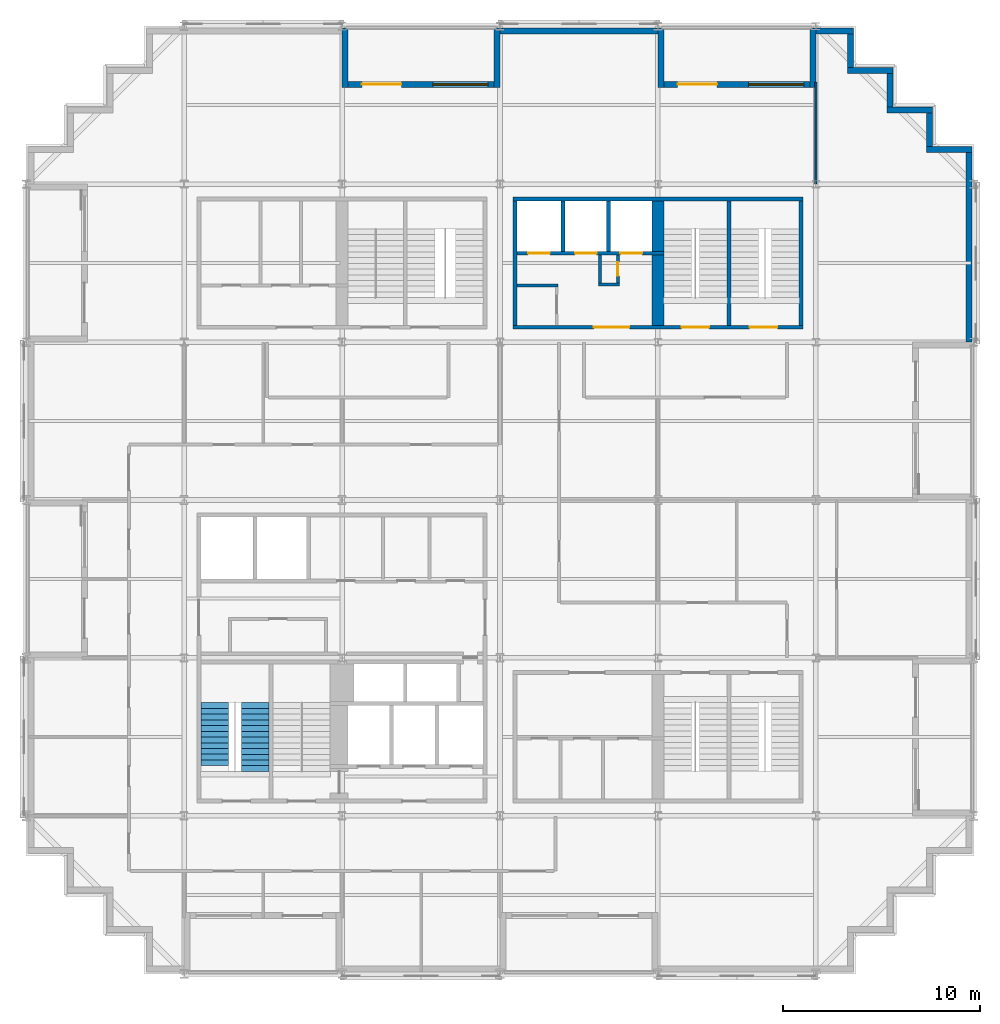
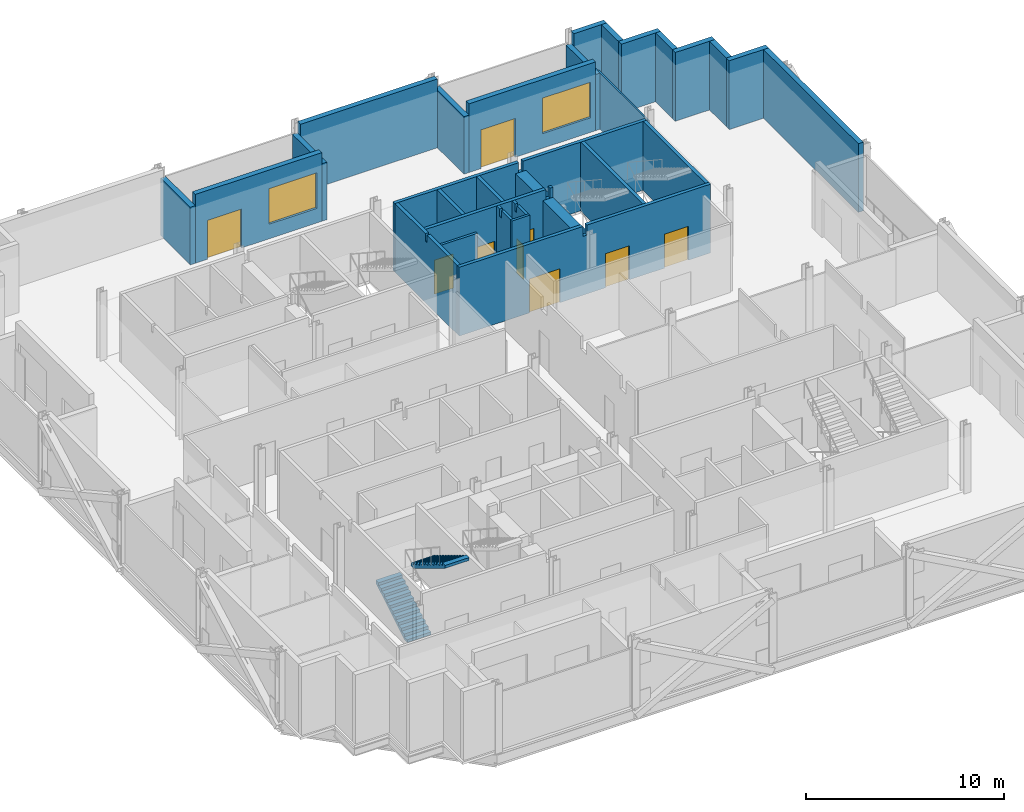
# One storey, part 10 of 13: 30 walls, 9 doors, 2 stair flights, 2 windows, 11 openings, 1 element without a shape of its own.
"""IFC4 building model written with IfcOpenShell, lengths in metres."""

from ifc_helpers import new_model, si_unit, direction, frame, frame_2d, origin, place, context, subcontext, project, spatial, polyline, rectangle, outline, extrude, material, layer, layer_set, type_object, element, fill, aggregate, save


model = new_model("IFC4")

# Units and contexts
model_context = context("Model", 3, precision=1e-05, world=origin(), true_north=direction((0.0, 1.0)))
body_context = subcontext(model_context, "Body", "Model", "MODEL_VIEW")
ifc_project = project(units=[si_unit("LENGTHUNIT", "METRE"), si_unit("AREAUNIT", "SQUARE_METRE"), si_unit("VOLUMEUNIT", "CUBIC_METRE"), si_unit("PLANEANGLEUNIT", "RADIAN"), si_unit("MASSUNIT", "GRAM", prefix="KILO")], contexts=[model_context])

# Site, building, storey
site_placement = place(None, origin())
site = spatial("IfcSite", under=ifc_project, at=site_placement, CompositionType="ELEMENT")
building_placement = place(site_placement, origin())
building = spatial("IfcBuilding", under=site, at=building_placement, Name="Immortelle Media Tower", CompositionType="ELEMENT")
storey_placement = place(building_placement, frame((0.0, 0.0, 74.39990234375)))
storey = spatial("IfcBuildingStorey", under=building, at=storey_placement, Name="L13", CompositionType="ELEMENT", Elevation=74.39990234375)

# Walls
ifc_material_1 = material(Name="Fire-rated gypsum board", Category="gypsum")
ifc_layer_1 = layer(ifc_material_1, 0.02490234375)
ifc_material_2 = material(Name="Steel ASTM A653 SS Gr 50 stud frame with mineral wool", Category="steel")
ifc_layer_2 = layer(ifc_material_2, 0.10009765625)
ifc_layer_3 = layer(ifc_material_1, 0.02490234375)
ifc_layer_set_1 = layer_set([ifc_layer_1, ifc_layer_2, ifc_layer_3], Name="Steel ASTM A653 SS Gr 50 stud frame with mineral wool")
wall_type_1 = type_object("IfcWallType", Name="Core partition 150", PredefinedType="PARTITIONING", material=ifc_layer_set_1)
wall_1_placement = place(storey_placement, frame((24.85009765625, 34.875, 0.0), z_axis=(0.0, 0.0, 1.0), x_axis=(1.0, 0.0, 0.0)))
element("IfcWall", 1, at=wall_1_placement, inside=storey, type_object=wall_type_1, Name="Core partition NE", PredefinedType="PARTITIONING", context=body_context, shape_type="SweptSolid", body=[
    extrude(rectangle(XDim=2.099853515625, YDim=0.14990234375, at=frame_2d((1.0498046875, 0.0))), origin(), (0.0, 0.0, 1.0), 4.25),
])
wall_2_placement = place(storey_placement, frame((29.0, 34.925048828125, 0.0), z_axis=(0.0, 0.0, 1.0), x_axis=(1.0, 0.0, 0.0)))
element("IfcWall", 2, at=wall_2_placement, inside=storey, type_object=wall_type_1, Name="Core partition NE", PredefinedType="PARTITIONING", context=body_context, shape_type="SweptSolid", body=[
    extrude(rectangle(XDim=1.050048828125, YDim=0.14990234375, at=frame_2d((0.52490234375, 0.0))), origin(), (0.0, 0.0, 1.0), 4.25),
])
wall_3_placement = place(storey_placement, frame((29.074951171875, 35.0, 0.0), z_axis=(0.0, 0.0, 1.0), x_axis=(0.0, 1.0, 0.0)))
element("IfcWall", 3, at=wall_3_placement, inside=storey, type_object=wall_type_1, Name="Core partition NE", PredefinedType="PARTITIONING", context=body_context, shape_type="SweptSolid", body=[
    extrude(outline(polyline([(0.0, 0.0), (1.39990234375, 0.0), (1.39990234375, 4.25), (1.08154296875, 4.25), (1.08056640625, 3.7890625), (0.91943359375, 3.7890625), (0.91845703125, 4.25), (0.0, 4.25), (0.0, 0.0)])), frame((0.0, 0.074951171875, 0.0), z_axis=(0.0, -1.0, 0.0), x_axis=(1.0, 0.0, 0.0)), (0.0, 0.0, 1.0), 0.14990234375),
])

# Wall, opening, door
wall_4_placement = place(storey_placement, frame((29.97509765625, 35.0, 0.0), z_axis=(0.0, 0.0, 1.0), x_axis=(0.0, 1.0, 0.0)))
wall_4 = element("IfcWall", 4, at=wall_4_placement, inside=storey, type_object=wall_type_1, Name="Core partition NE", PredefinedType="PARTITIONING", context=body_context, shape_type="SweptSolid", body=[
    extrude(outline(polyline([(0.0, 0.0), (1.39990234375, 0.0), (1.39990234375, 4.25), (1.08154296875, 4.25), (1.08056640625, 3.7890625), (0.91943359375, 3.7890625), (0.91845703125, 4.25), (0.0, 4.25), (0.0, 0.0)])), frame((0.0, 0.074951171875, 0.0), z_axis=(0.0, -1.0, 0.0), x_axis=(1.0, 0.0, 0.0)), (0.0, 0.0, 1.0), 0.14990234375),
])
opening_1_placement = place(wall_4_placement, frame((0.35009765625, 0.0, 0.0)))
opening_1 = element("IfcOpeningElement", 5, at=opening_1_placement, cuts=wall_4, Name="Opening N4-K031", PredefinedType="OPENING", context=body_context, shape_type="SweptSolid", body=[
    extrude(rectangle(XDim=0.699951171875, YDim=2.10009765625, at=frame_2d((0.35009765625, 1.050048828125))), frame((0.0, 0.0849609375, 0.0), z_axis=(0.0, -1.0, 0.0), x_axis=(1.0, 0.0, 0.0)), (0.0, 0.0, 1.0), 0.169921875),
])
ifc_material_3 = material(Name="Galvanised steel door leaf and frame ASTM A653", Category="steel")
door_type_1 = type_object("IfcDoorType", Name="Service door 700 x 2100", OperationType="NOTDEFINED", PredefinedType="NOTDEFINED", material=ifc_material_3)
door_1_placement = place(opening_1_placement, origin())
door_1 = element("IfcDoor", 6, at=door_1_placement, inside=storey, type_object=door_type_1, Name="Service N4-K031", OperationType="SINGLE_SWING_LEFT", OverallHeight=2.10009765625, OverallWidth=0.699951171875, PredefinedType="NOTDEFINED", context=body_context, shape_type="SweptSolid", body=[
    extrude(rectangle(XDim=0.699951171875, YDim=2.10009765625, at=frame_2d((0.35009765625, 1.050048828125))), frame((0.0, 0.02490234375, 0.0), z_axis=(0.0, -1.0, 0.0), x_axis=(1.0, 0.0, 0.0)), (0.0, 0.0, 1.0), 0.050048828125),
])
fill(opening_1, door_1)

# Wall
ifc_layer_4 = layer(ifc_material_1, 0.03759765625)
ifc_layer_5 = layer(ifc_material_2, 0.125)
ifc_layer_6 = layer(ifc_material_1, 0.03759765625)
ifc_layer_set_2 = layer_set([ifc_layer_4, ifc_layer_5, ifc_layer_6], Name="Steel ASTM A653 SS Gr 50 stud frame with mineral wool")
wall_type_2 = type_object("IfcWallType", Name="Core shaft wall 200", PredefinedType="PARTITIONING", material=ifc_layer_set_2)
wall_5_placement = place(storey_placement, frame((24.75, 32.85009765625, 0.0), z_axis=(0.0, 0.0, 1.0), x_axis=(0.0, 1.0, 0.0)))
element("IfcWall", 7, at=wall_5_placement, inside=storey, type_object=wall_type_2, Name="Core shaft wall NE", PredefinedType="PARTITIONING", context=body_context, shape_type="SweptSolid", body=[
    extrude(outline(polyline([(0.0, 0.0), (6.2998046875, 0.0), (6.300048828125, 4.25), (3.2314453125, 4.25), (3.23046875, 3.7890625), (3.069580078125, 3.7890625), (3.068603515625, 4.25), (0.0, 4.25), (0.0, 0.0)])), frame((0.0, 0.10009765625, 0.0), z_axis=(0.0, -1.0, 0.0), x_axis=(1.0, 0.0, 0.0)), (0.0, 0.0, 1.0), 0.199951171875),
])

# Wall, openings, doors
wall_6_placement = place(storey_placement, frame((24.85009765625, 36.5, 0.0), z_axis=(0.0, 0.0, 1.0), x_axis=(1.0, 0.0, 0.0)))
wall_6 = element("IfcWall", 8, at=wall_6_placement, inside=storey, type_object=wall_type_2, Name="Core shaft wall NE", PredefinedType="PARTITIONING", context=body_context, shape_type="SweptSolid", body=[
    extrude(outline(polyline([(0.0, 0.0), (7.449951171875, 0.0), (7.449951171875, 4.25), (7.26953125, 4.25), (7.2685546875, 3.632080078125), (7.031494140625, 3.632080078125), (7.030517578125, 4.25), (0.0, 4.25), (0.0, 0.0)])), frame((0.0, 0.10009765625, 0.0), z_axis=(0.0, -1.0, 0.0), x_axis=(1.0, 0.0, 0.0)), (0.0, 0.0, 1.0), 0.199951171875),
])
opening_2_placement = place(wall_6_placement, frame((0.574951171875, 0.0, 0.0)))
opening_2 = element("IfcOpeningElement", 9, at=opening_2_placement, cuts=wall_6, Name="Opening LD", PredefinedType="OPENING", context=body_context, shape_type="SweptSolid", body=[
    extrude(rectangle(XDim=1.10009765625, YDim=2.10009765625, at=frame_2d((0.550048828125, 1.050048828125))), frame((0.0, 0.10986328125, 0.0), z_axis=(0.0, -1.0, 0.0), x_axis=(1.0, 0.0, 0.0)), (0.0, 0.0, 1.0), 0.219970703125),
])
opening_3_placement = place(wall_6_placement, frame((2.949951171875, 0.0, 0.0)))
opening_3 = element("IfcOpeningElement", 10, at=opening_3_placement, cuts=wall_6, Name="Opening LD", PredefinedType="OPENING", context=body_context, shape_type="SweptSolid", body=[
    extrude(rectangle(XDim=1.10009765625, YDim=2.10009765625, at=frame_2d((0.550048828125, 1.050048828125))), frame((0.0, 0.10986328125, 0.0), z_axis=(0.0, -1.0, 0.0), x_axis=(1.0, 0.0, 0.0)), (0.0, 0.0, 1.0), 0.219970703125),
])
opening_4_placement = place(wall_6_placement, frame((5.25, 0.0, 0.0)))
opening_4 = element("IfcOpeningElement", 11, at=opening_4_placement, cuts=wall_6, Name="Opening LD", PredefinedType="OPENING", context=body_context, shape_type="SweptSolid", body=[
    extrude(rectangle(XDim=1.10009765625, YDim=2.10009765625, at=frame_2d((0.550048828125, 1.050048828125))), frame((0.0, 0.10986328125, 0.0), z_axis=(0.0, -1.0, 0.0), x_axis=(1.0, 0.0, 0.0)), (0.0, 0.0, 1.0), 0.219970703125),
])
ifc_material_4 = material(Name="Stainless steel AISI 304", Category="steel")
door_type_2 = type_object("IfcDoorType", Name="Landing door 1100 x 2100", OperationType="SLIDING_TO_LEFT", PredefinedType="NOTDEFINED", material=ifc_material_4)
door_2_placement = place(opening_2_placement, origin())
door_2 = element("IfcDoor", 12, at=door_2_placement, inside=storey, type_object=door_type_2, Name="Landing door LR1 L13", OperationType="SLIDING_TO_LEFT", OverallHeight=2.10009765625, OverallWidth=1.10009765625, PredefinedType="NOTDEFINED", context=body_context, shape_type="SweptSolid", body=[
    extrude(rectangle(XDim=1.10009765625, YDim=2.10009765625, at=frame_2d((0.550048828125, 1.050048828125))), frame((0.0, 0.02490234375, 0.0), z_axis=(0.0, -1.0, 0.0), x_axis=(1.0, 0.0, 0.0)), (0.0, 0.0, 1.0), 0.050048828125),
])
fill(opening_2, door_2)
door_3_placement = place(opening_3_placement, origin())
door_3 = element("IfcDoor", 13, at=door_3_placement, inside=storey, type_object=door_type_2, Name="Landing door LR2 L13", OperationType="SLIDING_TO_LEFT", OverallHeight=2.10009765625, OverallWidth=1.10009765625, PredefinedType="NOTDEFINED", context=body_context, shape_type="SweptSolid", body=[
    extrude(rectangle(XDim=1.10009765625, YDim=2.10009765625, at=frame_2d((0.550048828125, 1.050048828125))), frame((0.0, 0.02490234375, 0.0), z_axis=(0.0, -1.0, 0.0), x_axis=(1.0, 0.0, 0.0)), (0.0, 0.0, 1.0), 0.050048828125),
])
fill(opening_3, door_3)
door_4_placement = place(opening_4_placement, origin())
door_4 = element("IfcDoor", 14, at=door_4_placement, inside=storey, type_object=door_type_2, Name="Landing door LR3 L13", OperationType="SLIDING_TO_LEFT", OverallHeight=2.10009765625, OverallWidth=1.10009765625, PredefinedType="NOTDEFINED", context=body_context, shape_type="SweptSolid", body=[
    extrude(rectangle(XDim=1.10009765625, YDim=2.10009765625, at=frame_2d((0.550048828125, 1.050048828125))), frame((0.0, 0.02490234375, 0.0), z_axis=(0.0, -1.0, 0.0), x_axis=(1.0, 0.0, 0.0)), (0.0, 0.0, 1.0), 0.050048828125),
])
fill(opening_4, door_4)

# Walls
for number, where, z_axis, x_axis, name in (
    (15, (27.199951171875, 36.60009765625, 0.0), (0.0, 0.0, 1.0), (0.0, 1.0, 0.0), "Core shaft wall NE"),
    (16, (29.5, 36.60009765625, 0.0), (0.0, 0.0, 1.0), (0.0, 1.0, 0.0), "Core shaft wall NE"),
):
    element("IfcWall", number, at=place(storey_placement, frame(where, z_axis=z_axis, x_axis=x_axis)), inside=storey, type_object=wall_type_2, Name=name, PredefinedType="PARTITIONING", context=body_context, shape_type="SweptSolid", body=[
        extrude(rectangle(XDim=2.5498046875, YDim=0.199951171875, at=frame_2d((1.27490234375, 0.0))), origin(), (0.0, 0.0, 1.0), 4.25),
    ])
ifc_material_5 = material(Name="Pale aluminium cladding panel", Category="aluminium")
ifc_layer_7 = layer(ifc_material_5, 0.030029296875)
ifc_layer_8 = layer(ifc_material_2, 0.257568359375)
ifc_material_6 = material(Name="Moisture-resistant gypsum board", Category="gypsum")
ifc_layer_9 = layer(ifc_material_6, 0.012451171875)
ifc_layer_set_3 = layer_set([ifc_layer_7, ifc_layer_8, ifc_layer_9], Name="Steel ASTM A653 SS Gr 50 stud frame with mineral wool")
wall_type_3 = type_object("IfcWallType", Name="Facade wall 300", PredefinedType="SOLIDWALL", material=ifc_layer_set_3)
wall_7_placement = place(storey_placement, frame((47.75, 32.0, 0.0), z_axis=(0.0, 0.0, 1.0), x_axis=(0.0, 1.0, 0.0)))
element("IfcWall", 17, at=wall_7_placement, inside=storey, type_object=wall_type_3, Name="Facade wall L13 E14", PredefinedType="SOLIDWALL", context=body_context, shape_type="SweptSolid", body=[
    extrude(rectangle(XDim=9.60009765625, YDim=0.300048828125, at=frame_2d((4.800048828125, 0.0))), origin(), (0.0, 0.0, 1.0), 4.25),
])
wall_8_placement = place(storey_placement, frame((47.89990234375, 41.75, 0.0), z_axis=(0.0, 0.0, 1.0), x_axis=(-1.0, 0.0, 0.0)))
element("IfcWall", 18, at=wall_8_placement, inside=storey, type_object=wall_type_3, Name="Facade wall L13 N15", PredefinedType="SOLIDWALL", context=body_context, shape_type="SweptSolid", body=[
    extrude(rectangle(XDim=2.2998046875, YDim=0.300048828125, at=frame_2d((1.14990234375, 0.0))), origin(), (0.0, 0.0, 1.0), 4.25),
])
wall_9_placement = place(storey_placement, frame((45.75, 41.89990234375, 0.0), z_axis=(0.0, 0.0, 1.0), x_axis=(0.0, 1.0, 0.0)))
element("IfcWall", 19, at=wall_9_placement, inside=storey, type_object=wall_type_3, Name="Facade wall L13 E16", PredefinedType="SOLIDWALL", context=body_context, shape_type="SweptSolid", body=[
    extrude(rectangle(XDim=1.7001953125, YDim=0.300048828125, at=frame_2d((0.85009765625, 0.0))), origin(), (0.0, 0.0, 1.0), 4.25),
])
wall_10_placement = place(storey_placement, frame((45.89990234375, 43.75, 0.0), z_axis=(0.0, 0.0, 1.0), x_axis=(-1.0, 0.0, 0.0)))
element("IfcWall", 20, at=wall_10_placement, inside=storey, type_object=wall_type_3, Name="Facade wall L13 N17", PredefinedType="SOLIDWALL", context=body_context, shape_type="SweptSolid", body=[
    extrude(rectangle(XDim=2.2998046875, YDim=0.300048828125, at=frame_2d((1.14990234375, 0.0))), origin(), (0.0, 0.0, 1.0), 4.25),
])
wall_11_placement = place(storey_placement, frame((43.75, 43.89990234375, 0.0), z_axis=(0.0, 0.0, 1.0), x_axis=(0.0, 1.0, 0.0)))
element("IfcWall", 21, at=wall_11_placement, inside=storey, type_object=wall_type_3, Name="Facade wall L13 E18", PredefinedType="SOLIDWALL", context=body_context, shape_type="SweptSolid", body=[
    extrude(rectangle(XDim=1.7001953125, YDim=0.300048828125, at=frame_2d((0.85009765625, 0.0))), origin(), (0.0, 0.0, 1.0), 4.25),
])
wall_12_placement = place(storey_placement, frame((43.89990234375, 45.75, 0.0), z_axis=(0.0, 0.0, 1.0), x_axis=(-1.0, 0.0, 0.0)))
element("IfcWall", 22, at=wall_12_placement, inside=storey, type_object=wall_type_3, Name="Facade wall L13 N19", PredefinedType="SOLIDWALL", context=body_context, shape_type="SweptSolid", body=[
    extrude(rectangle(XDim=2.2998046875, YDim=0.300048828125, at=frame_2d((1.14990234375, 0.0))), origin(), (0.0, 0.0, 1.0), 4.25),
])
wall_13_placement = place(storey_placement, frame((41.75, 45.89990234375, 0.0), z_axis=(0.0, 0.0, 1.0), x_axis=(0.0, 1.0, 0.0)))
element("IfcWall", 23, at=wall_13_placement, inside=storey, type_object=wall_type_3, Name="Facade wall L13 E20", PredefinedType="SOLIDWALL", context=body_context, shape_type="SweptSolid", body=[
    extrude(rectangle(XDim=1.7001953125, YDim=0.300048828125, at=frame_2d((0.85009765625, 0.0))), origin(), (0.0, 0.0, 1.0), 4.25),
])
wall_14_placement = place(storey_placement, frame((41.89990234375, 47.75, 0.0), z_axis=(0.0, 0.0, 1.0), x_axis=(-1.0, 0.0, 0.0)))
element("IfcWall", 24, at=wall_14_placement, inside=storey, type_object=wall_type_3, Name="Facade wall L13 N21", PredefinedType="SOLIDWALL", context=body_context, shape_type="SweptSolid", body=[
    extrude(rectangle(XDim=1.89990234375, YDim=0.300048828125, at=frame_2d((0.949951171875, 0.0))), origin(), (0.0, 0.0, 1.0), 4.25),
])

# Wall, openings, door, window
wall_15_placement = place(storey_placement, frame((39.699951171875, 45.050048828125, 0.0), z_axis=(0.0, 0.0, 1.0), x_axis=(-1.0, 0.0, 0.0)))
wall_15 = element("IfcWall", 25, at=wall_15_placement, inside=storey, type_object=wall_type_3, Name="Loggia wall L13 N21", PredefinedType="SOLIDWALL", context=body_context, shape_type="SweptSolid", body=[
    extrude(rectangle(XDim=7.39990234375, YDim=0.300048828125, at=frame_2d((3.699951171875, 0.0))), origin(), (0.0, 0.0, 1.0), 4.25),
])
opening_5_placement = place(wall_15_placement, frame((0.300048828125, 0.0, 0.89990234375)))
opening_5 = element("IfcOpeningElement", 26, at=opening_5_placement, cuts=wall_15, Name="Opening W1", PredefinedType="OPENING", context=body_context, shape_type="SweptSolid", body=[
    extrude(rectangle(XDim=2.800048828125, YDim=2.199951171875, at=frame_2d((1.39990234375, 1.10009765625))), frame((0.0, 0.159912109375, 0.0), z_axis=(0.0, -1.0, 0.0), x_axis=(1.0, 0.0, 0.0)), (0.0, 0.0, 1.0), 0.320068359375),
])
opening_6_placement = place(wall_15_placement, frame((4.699951171875, 0.0, 0.0)))
opening_6 = element("IfcOpeningElement", 27, at=opening_6_placement, cuts=wall_15, Name="Opening N4-E007", PredefinedType="OPENING", context=body_context, shape_type="SweptSolid", body=[
    extrude(rectangle(XDim=2.0, YDim=2.39990234375, at=frame_2d((1.0, 1.199951171875))), frame((0.0, 0.159912109375, 0.0), z_axis=(0.0, -1.0, 0.0), x_axis=(1.0, 0.0, 0.0)), (0.0, 0.0, 1.0), 0.320068359375),
])
ifc_material_7 = material(Name="Aluminium frame, glazed leaves", Category="aluminium")
door_type_3 = type_object("IfcDoorType", Name="Loggia door 2000 x 2400", OperationType="DOUBLE_DOOR_SINGLE_SWING", PredefinedType="DOOR", material=ifc_material_7)
door_5_placement = place(opening_6_placement, origin())
door_5 = element("IfcDoor", 28, at=door_5_placement, inside=storey, type_object=door_type_3, Name="Door N4-E007", OperationType="DOUBLE_DOOR_SINGLE_SWING", OverallHeight=2.39990234375, OverallWidth=2.0, PredefinedType="DOOR", context=body_context, shape_type="SweptSolid", body=[
    extrude(rectangle(XDim=2.0, YDim=2.39990234375, at=frame_2d((1.0, 1.199951171875))), frame((0.0, 0.02490234375, 0.0), z_axis=(0.0, -1.0, 0.0), x_axis=(1.0, 0.0, 0.0)), (0.0, 0.0, 1.0), 0.050048828125),
])
fill(opening_6, door_5)
ifc_material_8 = material(Name="Aluminium frame", Category="aluminium")
window_type = type_object("IfcWindowType", Name="Window 2800 x 2200", PartitioningType="SINGLE_PANEL", PredefinedType="WINDOW", material=ifc_material_8)
window_1_placement = place(opening_5_placement, origin())
window_1 = element("IfcWindow", 29, at=window_1_placement, inside=storey, type_object=window_type, Name="Window L13 L13-R21-B0", OverallHeight=2.199951171875, OverallWidth=2.800048828125, PartitioningType="SINGLE_PANEL", PredefinedType="WINDOW", context=body_context, shape_type="SweptSolid", body=[
    extrude(rectangle(XDim=2.800048828125, YDim=2.199951171875, at=frame_2d((1.39990234375, 1.10009765625))), frame((0.0, 0.030029296875, 0.0), z_axis=(0.0, -1.0, 0.0), x_axis=(1.0, 0.0, 0.0)), (0.0, 0.0, 1.0), 0.06005859375),
])
fill(opening_5, window_1)

# Walls
wall_16_placement = place(storey_placement, frame((39.85009765625, 47.89990234375, 0.0), z_axis=(0.0, 0.0, 1.0), x_axis=(0.0, -1.0, 0.0)))
element("IfcWall", 30, at=wall_16_placement, inside=storey, type_object=wall_type_3, Name="Loggia cheek wall L13 N", PredefinedType="SOLIDWALL", context=body_context, shape_type="SweptSolid", body=[
    extrude(rectangle(XDim=3.0, YDim=0.300048828125, at=frame_2d((1.5, 0.0))), origin(), (0.0, 0.0, 1.0), 3.468994140625),
])
wall_17_placement = place(storey_placement, frame((32.14990234375, 47.89990234375, 0.0), z_axis=(0.0, 0.0, 1.0), x_axis=(0.0, -1.0, 0.0)))
element("IfcWall", 31, at=wall_17_placement, inside=storey, type_object=wall_type_3, Name="Loggia cheek wall L13 N", PredefinedType="SOLIDWALL", context=body_context, shape_type="SweptSolid", body=[
    extrude(rectangle(XDim=3.0, YDim=0.300048828125, at=frame_2d((1.5, 0.0))), origin(), (0.0, 0.0, 1.0), 3.55615234375),
])
wall_18_placement = place(storey_placement, frame((32.0, 47.75, 0.0), z_axis=(0.0, 0.0, 1.0), x_axis=(-1.0, 0.0, 0.0)))
element("IfcWall", 32, at=wall_18_placement, inside=storey, type_object=wall_type_3, Name="Facade wall L13 N21", PredefinedType="SOLIDWALL", context=body_context, shape_type="SweptSolid", body=[
    extrude(rectangle(XDim=8.0, YDim=0.300048828125, at=frame_2d((4.0, 0.0))), origin(), (0.0, 0.0, 1.0), 4.25),
])

# Wall, openings, door, window
wall_19_placement = place(storey_placement, frame((23.699951171875, 45.050048828125, 0.0), z_axis=(0.0, 0.0, 1.0), x_axis=(-1.0, 0.0, 0.0)))
wall_19 = element("IfcWall", 33, at=wall_19_placement, inside=storey, type_object=wall_type_3, Name="Loggia wall L13 N21", PredefinedType="SOLIDWALL", context=body_context, shape_type="SweptSolid", body=[
    extrude(rectangle(XDim=7.39990234375, YDim=0.300048828125, at=frame_2d((3.699951171875, 0.0))), origin(), (0.0, 0.0, 1.0), 4.25),
])
opening_7_placement = place(wall_19_placement, frame((0.300048828125, 0.0, 0.89990234375)))
opening_7 = element("IfcOpeningElement", 34, at=opening_7_placement, cuts=wall_19, Name="Opening W1", PredefinedType="OPENING", context=body_context, shape_type="SweptSolid", body=[
    extrude(rectangle(XDim=2.800048828125, YDim=2.199951171875, at=frame_2d((1.39990234375, 1.10009765625))), frame((0.0, 0.159912109375, 0.0), z_axis=(0.0, -1.0, 0.0), x_axis=(1.0, 0.0, 0.0)), (0.0, 0.0, 1.0), 0.320068359375),
])
opening_8_placement = place(wall_19_placement, frame((4.699951171875, 0.0, 0.0)))
opening_8 = element("IfcOpeningElement", 35, at=opening_8_placement, cuts=wall_19, Name="Opening N4-E008", PredefinedType="OPENING", context=body_context, shape_type="SweptSolid", body=[
    extrude(rectangle(XDim=2.0, YDim=2.39990234375, at=frame_2d((1.0, 1.199951171875))), frame((0.0, 0.159912109375, 0.0), z_axis=(0.0, -1.0, 0.0), x_axis=(1.0, 0.0, 0.0)), (0.0, 0.0, 1.0), 0.320068359375),
])
door_6_placement = place(opening_8_placement, origin())
door_6 = element("IfcDoor", 36, at=door_6_placement, inside=storey, type_object=door_type_3, Name="Door N4-E008", OperationType="DOUBLE_DOOR_SINGLE_SWING", OverallHeight=2.39990234375, OverallWidth=2.0, PredefinedType="DOOR", context=body_context, shape_type="SweptSolid", body=[
    extrude(rectangle(XDim=2.0, YDim=2.39990234375, at=frame_2d((1.0, 1.199951171875))), frame((0.0, 0.02490234375, 0.0), z_axis=(0.0, -1.0, 0.0), x_axis=(1.0, 0.0, 0.0)), (0.0, 0.0, 1.0), 0.050048828125),
])
fill(opening_8, door_6)
window_2_placement = place(opening_7_placement, origin())
window_2 = element("IfcWindow", 37, at=window_2_placement, inside=storey, type_object=window_type, Name="Window L13 L13-R21-B2", OverallHeight=2.199951171875, OverallWidth=2.800048828125, PartitioningType="SINGLE_PANEL", PredefinedType="WINDOW", context=body_context, shape_type="SweptSolid", body=[
    extrude(rectangle(XDim=2.800048828125, YDim=2.199951171875, at=frame_2d((1.39990234375, 1.10009765625))), frame((0.0, 0.030029296875, 0.0), z_axis=(0.0, -1.0, 0.0), x_axis=(1.0, 0.0, 0.0)), (0.0, 0.0, 1.0), 0.06005859375),
])
fill(opening_7, window_2)

# Walls
for number, where, z_axis, x_axis, name in (
    (38, (23.85009765625, 47.89990234375, 0.0), (0.0, 0.0, 1.0), (0.0, -1.0, 0.0), "Loggia cheek wall L13 N"),
    (39, (16.14990234375, 47.89990234375, 0.0), (0.0, 0.0, 1.0), (0.0, -1.0, 0.0), "Loggia cheek wall L13 N"),
):
    element("IfcWall", number, at=place(storey_placement, frame(where, z_axis=z_axis, x_axis=x_axis)), inside=storey, type_object=wall_type_3, Name=name, PredefinedType="SOLIDWALL", context=body_context, shape_type="SweptSolid", body=[
        extrude(rectangle(XDim=3.0, YDim=0.300048828125, at=frame_2d((1.5, 0.0))), origin(), (0.0, 0.0, 1.0), 3.55615234375),
    ])
ifc_material_9 = material(Name="Gypsum board", Category="gypsum")
ifc_layer_10 = layer(ifc_material_9, 0.012451171875)
ifc_layer_11 = layer(ifc_material_2, 0.074951171875)
ifc_layer_12 = layer(ifc_material_9, 0.012451171875)
ifc_layer_set_4 = layer_set([ifc_layer_10, ifc_layer_11, ifc_layer_12], Name="Steel ASTM A653 SS Gr 50 stud frame with mineral wool")
wall_type_4 = type_object("IfcWallType", Name="Partition 100", PredefinedType="PARTITIONING", material=ifc_layer_set_4)
wall_20_placement = place(storey_placement, frame((40.0, 40.030029296875, 0.0), z_axis=(0.0, 0.0, 1.0), x_axis=(0.0, 1.0, 0.0)))
element("IfcWall", 40, at=wall_20_placement, inside=storey, type_object=wall_type_4, Name="Partition L13-038", PredefinedType="PARTITIONING", context=body_context, shape_type="SweptSolid", body=[
    extrude(rectangle(XDim=5.139892578125, YDim=0.10009765625, at=frame_2d((2.56982421875, 0.0))), origin(), (0.0, 0.0, 1.0), 3.47021484375),
])

# Wall, openings, doors
ifc_material_10 = material(Name="Concrete C60", Category="concrete")
ifc_layer_13 = layer(ifc_material_10, 0.199951171875)
ifc_layer_set_5 = layer_set([ifc_layer_13], Name="Concrete C60")
wall_type_5 = type_object("IfcWallType", Name="Stair shaft wall 200", PredefinedType="PARTITIONING", material=ifc_layer_set_5)
wall_21_placement = place(storey_placement, frame((24.64990234375, 32.75, 0.0), z_axis=(0.0, 0.0, 1.0), x_axis=(1.0, 0.0, 0.0)))
wall_21 = element("IfcWall", 41, at=wall_21_placement, inside=storey, type_object=wall_type_5, Name="Stair shaft wall NE", PredefinedType="PARTITIONING", context=body_context, shape_type="SweptSolid", body=[
    extrude(outline(polyline([(0.0, 0.0), (14.7001953125, 0.0), (14.699951171875, 4.25), (7.469482421875, 4.25), (7.468505859375, 3.632080078125), (7.2314453125, 3.632080078125), (7.23046875, 4.25), (0.0, 4.25), (0.0, 0.0)])), frame((0.0, 0.10009765625, 0.0), z_axis=(0.0, -1.0, 0.0), x_axis=(1.0, 0.0, 0.0)), (0.0, 0.0, 1.0), 0.199951171875),
])
opening_9_placement = place(wall_21_placement, frame((4.10009765625, 0.0, 0.0)))
opening_9 = element("IfcOpeningElement", 42, at=opening_9_placement, cuts=wall_21, Name="Opening N4-K030", PredefinedType="OPENING", context=body_context, shape_type="SweptSolid", body=[
    extrude(rectangle(XDim=1.800048828125, YDim=2.10009765625, at=frame_2d((0.89990234375, 1.050048828125))), frame((0.0, 0.10986328125, 0.0), z_axis=(0.0, -1.0, 0.0), x_axis=(1.0, 0.0, 0.0)), (0.0, 0.0, 1.0), 0.219970703125),
])
opening_10_placement = place(wall_21_placement, frame((8.550048828125, 0.0, 0.0)))
opening_10 = element("IfcOpeningElement", 43, at=opening_10_placement, cuts=wall_21, Name="Opening N4-K033", PredefinedType="OPENING", context=body_context, shape_type="SweptSolid", body=[
    extrude(rectangle(XDim=1.39990234375, YDim=2.10009765625, at=frame_2d((0.699951171875, 1.050048828125))), frame((0.0, 0.10986328125, 0.0), z_axis=(0.0, -1.0, 0.0), x_axis=(1.0, 0.0, 0.0)), (0.0, 0.0, 1.0), 0.219970703125),
])
opening_11_placement = place(wall_21_placement, frame((12.0, 0.0, 0.0)))
opening_11 = element("IfcOpeningElement", 44, at=opening_11_placement, cuts=wall_21, Name="Opening N4-K034", PredefinedType="OPENING", context=body_context, shape_type="SweptSolid", body=[
    extrude(rectangle(XDim=1.39990234375, YDim=2.10009765625, at=frame_2d((0.699951171875, 1.050048828125))), frame((0.0, 0.10986328125, 0.0), z_axis=(0.0, -1.0, 0.0), x_axis=(1.0, 0.0, 0.0)), (0.0, 0.0, 1.0), 0.219970703125),
])
door_type_4 = type_object("IfcDoorType", Name="Lift lobby door 1800 x 2100", OperationType="DOUBLE_DOOR_SINGLE_SWING", PredefinedType="NOTDEFINED", material=ifc_material_3)
door_7_placement = place(opening_9_placement, origin())
door_7 = element("IfcDoor", 45, at=door_7_placement, inside=storey, type_object=door_type_4, Name="Lift lobby N4-K030", OperationType="DOUBLE_DOOR_SINGLE_SWING", OverallHeight=2.10009765625, OverallWidth=1.800048828125, PredefinedType="NOTDEFINED", context=body_context, shape_type="SweptSolid", body=[
    extrude(rectangle(XDim=1.800048828125, YDim=2.10009765625, at=frame_2d((0.89990234375, 1.050048828125))), frame((0.0, 0.02490234375, 0.0), z_axis=(0.0, -1.0, 0.0), x_axis=(1.0, 0.0, 0.0)), (0.0, 0.0, 1.0), 0.050048828125),
])
fill(opening_9, door_7)
door_type_5 = type_object("IfcDoorType", Name="Stair door 1400 x 2100", OperationType="DOUBLE_DOOR_SINGLE_SWING", PredefinedType="NOTDEFINED", material=ifc_material_3)
door_8_placement = place(opening_10_placement, origin())
door_8 = element("IfcDoor", 46, at=door_8_placement, inside=storey, type_object=door_type_5, Name="Stair N4-K033", OperationType="DOUBLE_DOOR_SINGLE_SWING", OverallHeight=2.10009765625, OverallWidth=1.39990234375, PredefinedType="NOTDEFINED", context=body_context, shape_type="SweptSolid", body=[
    extrude(rectangle(XDim=1.39990234375, YDim=2.10009765625, at=frame_2d((0.699951171875, 1.050048828125))), frame((0.0, 0.02490234375, 0.0), z_axis=(0.0, -1.0, 0.0), x_axis=(1.0, 0.0, 0.0)), (0.0, 0.0, 1.0), 0.050048828125),
])
fill(opening_10, door_8)
door_9_placement = place(opening_11_placement, origin())
door_9 = element("IfcDoor", 47, at=door_9_placement, inside=storey, type_object=door_type_5, Name="Stair N4-K034", OperationType="DOUBLE_DOOR_SINGLE_SWING", OverallHeight=2.10009765625, OverallWidth=1.39990234375, PredefinedType="NOTDEFINED", context=body_context, shape_type="SweptSolid", body=[
    extrude(rectangle(XDim=1.39990234375, YDim=2.10009765625, at=frame_2d((0.699951171875, 1.050048828125))), frame((0.0, 0.02490234375, 0.0), z_axis=(0.0, -1.0, 0.0), x_axis=(1.0, 0.0, 0.0)), (0.0, 0.0, 1.0), 0.050048828125),
])
fill(opening_11, door_9)

# Walls
wall_22_placement = place(storey_placement, frame((24.64990234375, 39.25, 0.0), z_axis=(0.0, 0.0, 1.0), x_axis=(1.0, 0.0, 0.0)))
element("IfcWall", 48, at=wall_22_placement, inside=storey, type_object=wall_type_5, Name="Stair shaft wall NE", PredefinedType="PARTITIONING", context=body_context, shape_type="SweptSolid", body=[
    extrude(outline(polyline([(0.0, 0.0), (14.7001953125, 0.0), (14.699951171875, 4.25), (7.469482421875, 4.25), (7.468505859375, 3.632080078125), (7.2314453125, 3.632080078125), (7.23046875, 4.25), (0.0, 4.25), (0.0, 0.0)])), frame((0.0, 0.10009765625, 0.0), z_axis=(0.0, -1.0, 0.0), x_axis=(1.0, 0.0, 0.0)), (0.0, 0.0, 1.0), 0.199951171875),
])
for number, where, z_axis, x_axis, name in (
    (49, (35.60009765625, 32.85009765625, 0.0), (0.0, 0.0, 1.0), (0.0, 1.0, 0.0), "Stair shaft wall NE"),
    (50, (39.25, 32.85009765625, 0.0), (0.0, 0.0, 1.0), (0.0, 1.0, 0.0), "Stair shaft wall NE"),
):
    element("IfcWall", number, at=place(storey_placement, frame(where, z_axis=z_axis, x_axis=x_axis)), inside=storey, type_object=wall_type_5, Name=name, PredefinedType="PARTITIONING", context=body_context, shape_type="SweptSolid", body=[
        extrude(rectangle(XDim=6.2998046875, YDim=0.199951171875, at=frame_2d((3.14990234375, 0.0))), origin(), (0.0, 0.0, 1.0), 4.25),
    ])
ifc_layer_14 = layer(ifc_material_10, 0.60009765625)
ifc_layer_set_6 = layer_set([ifc_layer_14], Name="Concrete C60")
wall_type_6 = type_object("IfcWallType", Name="Stair shaft wall 600", PredefinedType="PARTITIONING", material=ifc_layer_set_6)
wall_23_placement = place(storey_placement, frame((32.0, 32.85009765625, 0.0), z_axis=(0.0, 0.0, 1.0), x_axis=(0.0, 1.0, 0.0)))
element("IfcWall", 51, at=wall_23_placement, inside=storey, type_object=wall_type_6, Name="Stair shaft wall NE", PredefinedType="PARTITIONING", context=body_context, shape_type="SweptSolid", body=[
    extrude(rectangle(XDim=3.5498046875, YDim=0.60009765625, at=frame_2d((1.77490234375, 0.0))), origin(), (0.0, 0.0, 1.0), 3.632080078125),
])
wall_24_placement = place(storey_placement, frame((32.0, 36.60009765625, 0.0), z_axis=(0.0, 0.0, 1.0), x_axis=(0.0, 1.0, 0.0)))
element("IfcWall", 52, at=wall_24_placement, inside=storey, type_object=wall_type_6, Name="Stair shaft wall NE", PredefinedType="PARTITIONING", context=body_context, shape_type="SweptSolid", body=[
    extrude(rectangle(XDim=2.5498046875, YDim=0.60009765625, at=frame_2d((1.27490234375, 0.0))), origin(), (0.0, 0.0, 1.0), 3.632080078125),
])

# Stair, stair flights
ifc_material_11 = material(Name="Steel ASTM A992 Gr 50", Category="steel")
stair_type = type_object("IfcStairType", Name="Stair with flights", PredefinedType="DOUBLE_RETURN_STAIR", material=ifc_material_11)
stair_placement = place(storey_placement, origin())
stair = element("IfcStair", 53, at=stair_placement, inside=storey, type_object=stair_type, Name="Exit stair SW1", PredefinedType="DOUBLE_RETURN_STAIR")
stair_flight_type = type_object("IfcStairFlightType", Name="Stair flight 1400", PredefinedType="STRAIGHT", material=ifc_material_11)
stair_flight_1_placement = place(storey_placement, frame((9.550048828125, 10.5400390625, 0.0), z_axis=(0.0, 0.0, 1.0), x_axis=(0.0, 1.0, 0.0)))
stair_flight_1 = element("IfcStairFlight", 54, at=stair_flight_1_placement, type_object=stair_flight_type, Name="ST SW1 flight 1", NumberOfRisers=12, NumberOfTreads=11, PredefinedType="STRAIGHT", RiserHeight=0.176, TreadLength=0.29, context=body_context, shape_type="SweptSolid", body=[
    extrude(outline(polyline([(0.0, 0.0), (0.0, 0.176025390625), (0.2900390625, 0.176025390625), (0.2900390625, 0.35205078125), (0.580078125, 0.35205078125), (0.580078125, 0.528076171875), (0.8701171875, 0.528076171875), (0.8701171875, 0.7041015625), (1.159912109375, 0.7041015625), (1.159912109375, 0.8798828125), (1.449951171875, 0.8798828125), (1.449951171875, 1.055908203125), (1.739990234375, 1.055908203125), (1.739990234375, 1.23193359375), (2.030029296875, 1.23193359375), (2.030029296875, 1.407958984375), (2.320068359375, 1.407958984375), (2.320068359375, 1.583984375), (2.610107421875, 1.583984375), (2.610107421875, 1.760009765625), (2.89990234375, 1.760009765625), (2.89990234375, 1.93603515625), (3.18994140625, 1.93603515625), (3.18994140625, 2.112060546875), (3.18994140625, 1.7607421875), (0.288818359375, 0.0), (0.0, 0.0)])), frame((0.0, 0.699951171875, 0.0), z_axis=(0.0, -1.0, 0.0), x_axis=(1.0, 0.0, 0.0)), (0.0, 0.0, 1.0), 1.39990234375),
])
stair_flight_2_placement = place(storey_placement, frame((11.60009765625, 13.72998046875, 2.112060546875), z_axis=(0.0, 0.0, 1.0), x_axis=(0.0, -1.0, 0.0)))
stair_flight_2 = element("IfcStairFlight", 55, at=stair_flight_2_placement, type_object=stair_flight_type, Name="ST SW1 flight 2", NumberOfRisers=13, NumberOfTreads=12, PredefinedType="STRAIGHT", RiserHeight=0.176, TreadLength=0.29, context=body_context, shape_type="SweptSolid", body=[
    extrude(outline(polyline([(0.0, 0.0), (0.0, 0.176025390625), (0.2900390625, 0.176025390625), (0.2900390625, 0.35205078125), (0.580078125, 0.35205078125), (0.580078125, 0.528076171875), (0.8701171875, 0.528076171875), (0.8701171875, 0.7041015625), (1.159912109375, 0.7041015625), (1.159912109375, 0.8798828125), (1.449951171875, 0.8798828125), (1.449951171875, 1.055908203125), (1.739990234375, 1.055908203125), (1.739990234375, 1.23193359375), (2.030029296875, 1.23193359375), (2.030029296875, 1.407958984375), (2.320068359375, 1.407958984375), (2.320068359375, 1.583984375), (2.610107421875, 1.583984375), (2.610107421875, 1.760009765625), (2.89990234375, 1.760009765625), (2.89990234375, 1.93603515625), (3.18994140625, 1.93603515625), (3.18994140625, 2.112060546875), (3.47998046875, 2.112060546875), (3.47998046875, 2.2880859375), (3.47998046875, 1.936767578125), (0.288818359375, 0.0), (0.0, 0.0)])), frame((0.0, 0.699951171875, 0.0), z_axis=(0.0, -1.0, 0.0), x_axis=(1.0, 0.0, 0.0)), (0.0, 0.0, 1.0), 1.39990234375),
])
aggregate(stair, [stair_flight_1, stair_flight_2])

save(model, "model.ifc")
